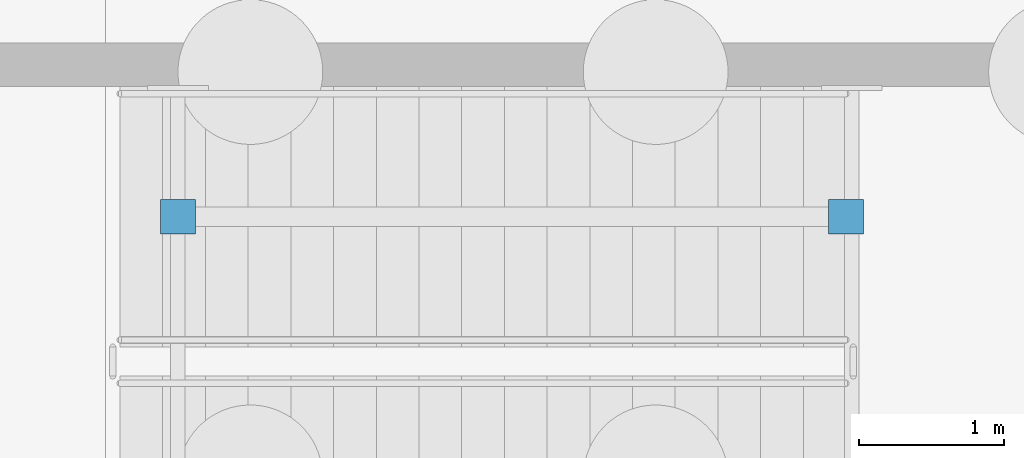
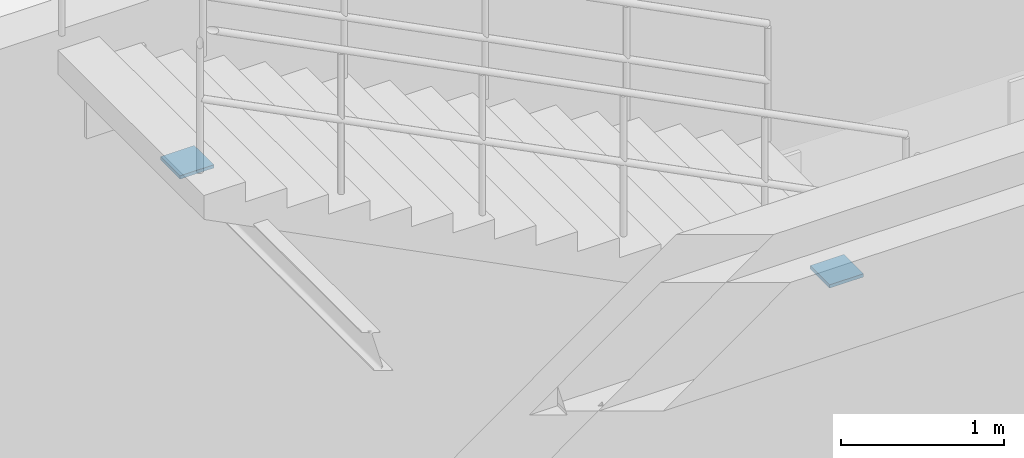
# One storey, part 60 of 71: 2 discrete accessories.
"""IFC4 building model written with IfcOpenShell, lengths in metres."""

from ifc_helpers import new_model, si_unit, direction, frame, origin, origin_2d, place, context, subcontext, project, spatial, rectangle, extrude, material, type_object, element, save


model = new_model("IFC4")

# Units and contexts
model_context = context("Model", 3, precision=1e-05, world=origin(), true_north=direction((0.0, 1.0)))
body_context = subcontext(model_context, "Body", "Model", "MODEL_VIEW")
ifc_project = project(units=[si_unit("LENGTHUNIT", "METRE"), si_unit("AREAUNIT", "SQUARE_METRE"), si_unit("VOLUMEUNIT", "CUBIC_METRE"), si_unit("PLANEANGLEUNIT", "RADIAN"), si_unit("MASSUNIT", "GRAM", prefix="KILO")], contexts=[model_context])

# Site, building, storey
site_placement = place(None, origin())
site = spatial("IfcSite", under=ifc_project, at=site_placement, CompositionType="ELEMENT")
building_placement = place(site_placement, origin())
building = spatial("IfcBuilding", under=site, at=building_placement, Name="Sundkrona Museum", CompositionType="ELEMENT")
storey_placement = place(building_placement, frame((0.0, 0.0, -5.39990234375)))
storey = spatial("IfcBuildingStorey", under=building, at=storey_placement, Name="B1", CompositionType="ELEMENT", Elevation=-5.39990234375)

# Discrete accessories
ifc_material = material(Name="Stainless Steel EN 1.4404 Cleat", Category="steel")
discrete_accessory_type = type_object("IfcDiscreteAccessoryType", Name="BRK-FIN-01", PredefinedType="BRACKET", material=ifc_material)
for number, where, z_axis, x_axis, name in (
    (1, (35.715087890625, 35.199951171875, 2.367431640625), (0.0, 0.0, 1.0), (1.0, 0.0, 0.0), "Brace and Strut End Connection Plate RK-ST-ST-4-B1-2-1"),
    (2, (31.10009765625, 35.199951171875, 4.8017578125), (0.0, 0.0, 1.0), (1.0, 0.0, 0.0), "Brace and Strut End Connection Plate RK-ST-ST-4-B1-2-2"),
):
    element("IfcDiscreteAccessory", number, at=place(storey_placement, frame(where, z_axis=z_axis, x_axis=x_axis)), inside=storey, type_object=discrete_accessory_type, Name=name, PredefinedType="BRACKET", context=body_context, shape_type="SweptSolid", body=[
        extrude(rectangle(XDim=0.239990234375, YDim=0.239990234375, at=origin_2d()), origin(), (0.0, 0.0, 1.0), 0.02490234375),
    ])

save(model, "model.ifc")
